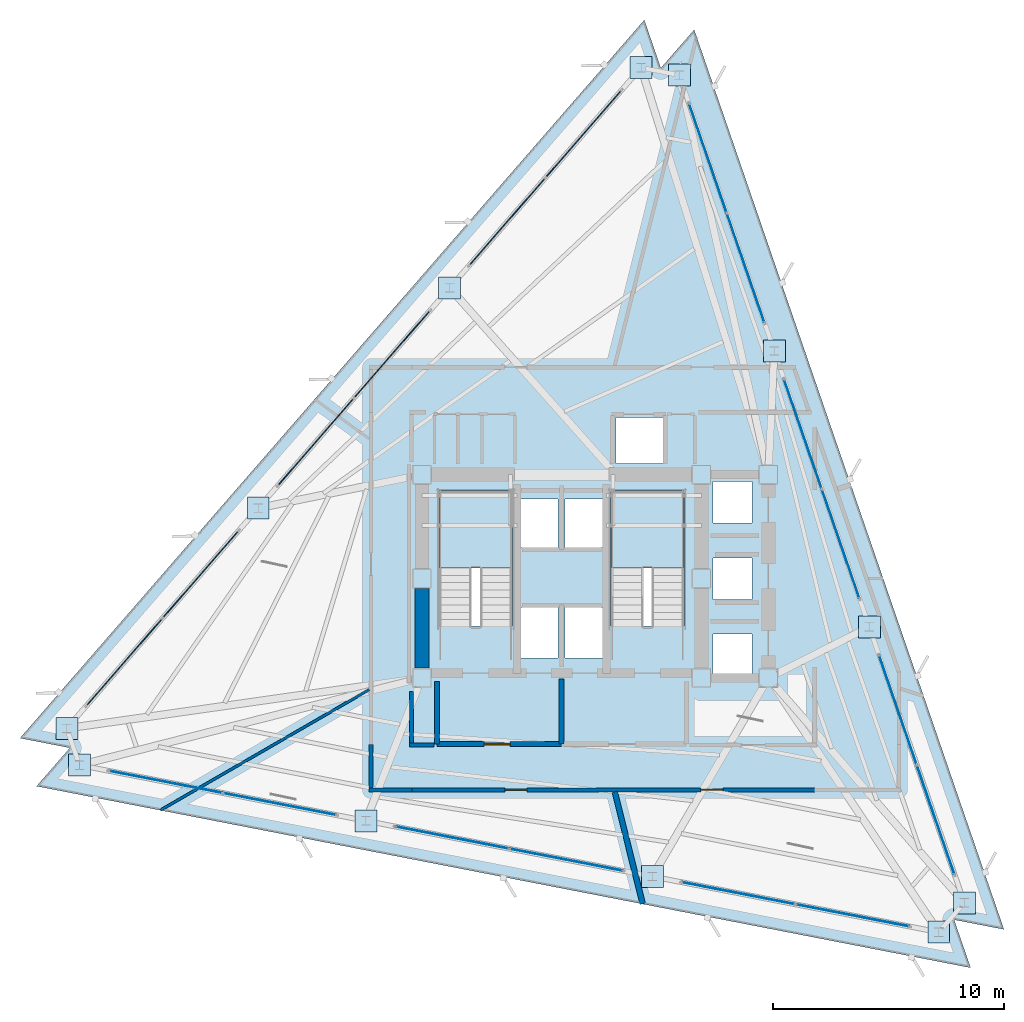
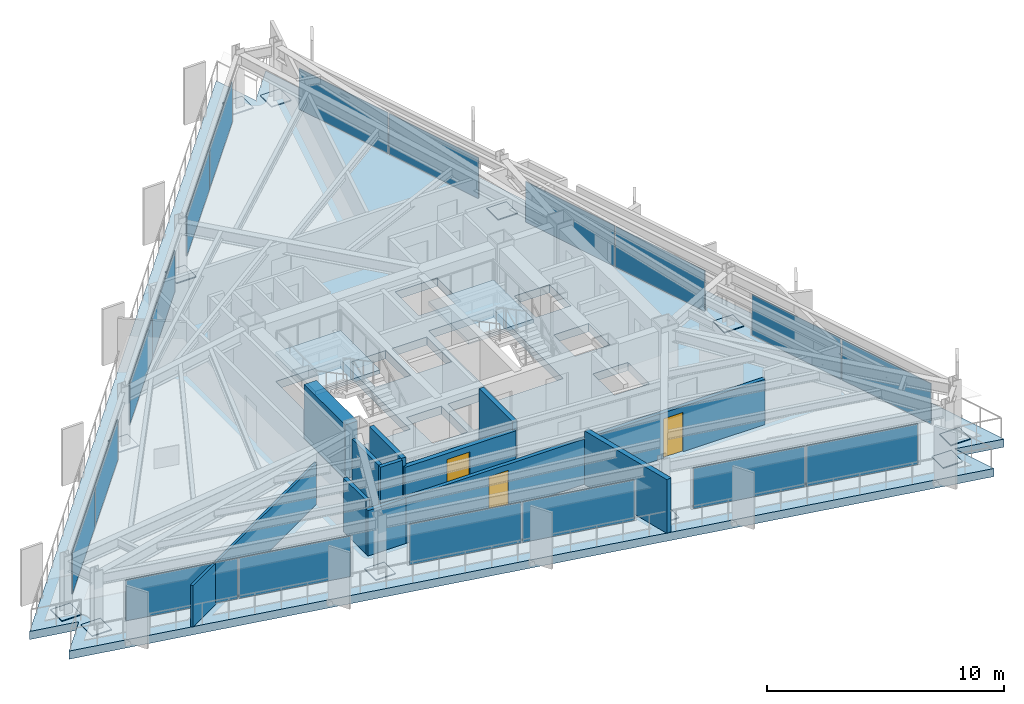
# One storey, part 8 of 13: 30 plates, 11 walls, 3 doors, 3 slabs, 3 openings, 11 elements without a shape of their own.
"""IFC4 building model written with IfcOpenShell, lengths in metres."""

from ifc_helpers import new_model, si_unit, direction, frame, frame_2d, origin, origin_2d, place, context, subcontext, project, spatial, polyline, rectangle, outline, extrude, material, layer, layer_set, type_object, element, fill, aggregate, save


model = new_model("IFC4")

# Units and contexts
model_context = context("Model", 3, precision=1e-05, world=origin(), true_north=direction((0.0, 1.0)))
body_context = subcontext(model_context, "Body", "Model", "MODEL_VIEW")
ifc_project = project(units=[si_unit("LENGTHUNIT", "METRE"), si_unit("AREAUNIT", "SQUARE_METRE"), si_unit("VOLUMEUNIT", "CUBIC_METRE"), si_unit("PLANEANGLEUNIT", "RADIAN"), si_unit("MASSUNIT", "GRAM", prefix="KILO")], contexts=[model_context])

# Site, building, storey
site_placement = place(None, origin())
site = spatial("IfcSite", under=ifc_project, at=site_placement, CompositionType="ELEMENT")
building_placement = place(site_placement, origin())
building = spatial("IfcBuilding", under=site, at=building_placement, Name="Rocaltana Carrier Exchange", CompositionType="ELEMENT")
storey_placement = place(building_placement, frame((0.0, 0.0, 147.199951171875)))
storey = spatial("IfcBuildingStorey", under=building, at=storey_placement, Name="L46", CompositionType="ELEMENT", Elevation=147.199951171875)

# Slab
ifc_material_1 = material(Name="Concrete C60/75", Category="concrete")
ifc_layer_1 = layer(ifc_material_1, 0.419921875)
ifc_layer_set_1 = layer_set([ifc_layer_1], Name="Concrete C60/75")
slab_type_1 = type_object("IfcSlabType", Name="Block Transfer Diaphragm Slab 420", PredefinedType="FLOOR", material=ifc_layer_set_1)
slab_1_placement = place(storey_placement, frame((0.0, 0.0, -0.419921875)))
element("IfcSlab", 1, at=slab_1_placement, inside=storey, type_object=slab_type_1, Name="L46 Structural Floor Slab", PredefinedType="FLOOR", context=body_context, shape_type="SweptSolid", body=[
    extrude(outline(polyline([(17.709716796875, -16.852294921875), (16.993408203125, -14.772216796875), (19.153076171875, -15.19189453125), (5.73974609375, 23.76318359375), (4.29638671875, 22.10302734375), (3.580078125, 24.18310546875), (-23.449462890625, -6.910888671875), (-21.289794921875, -7.330810546875), (-22.7333984375, -8.9912109375), (17.709716796875, -16.852294921875)]), holes=[polyline([(-5.300048828125, -2.06005859375), (-2.139892578125, -2.06005859375), (-2.139892578125, 3.800048828125), (-5.300048828125, 3.800048828125), (-5.300048828125, -2.06005859375)]), polyline([(2.139892578125, -2.06005859375), (5.300048828125, -2.06005859375), (5.300048828125, 3.800048828125), (2.139892578125, 3.800048828125), (2.139892578125, -2.06005859375)]), polyline([(-1.85009765625, -3.449951171875), (-0.14990234375, -3.449951171875), (-0.14990234375, -1.25), (-1.85009765625, -1.25), (-1.85009765625, -3.449951171875)]), polyline([(0.14990234375, -3.449951171875), (1.85009765625, -3.449951171875), (1.85009765625, -1.25), (0.14990234375, -1.25), (0.14990234375, -3.449951171875)]), polyline([(2.35009765625, 4.97998046875), (4.39990234375, 4.97998046875), (4.39990234375, 6.97998046875), (2.35009765625, 6.97998046875), (2.35009765625, 4.97998046875)]), polyline([(-1.85009765625, 1.35009765625), (-0.14990234375, 1.35009765625), (-0.14990234375, 3.449951171875), (-1.85009765625, 3.449951171875), (-1.85009765625, 1.35009765625)]), polyline([(0.14990234375, 1.35009765625), (1.85009765625, 1.35009765625), (1.85009765625, 3.449951171875), (0.14990234375, 3.449951171875), (0.14990234375, 1.35009765625)]), polyline([(6.550048828125, -4.199951171875), (8.25, -4.199951171875), (8.25, -2.39990234375), (6.550048828125, -2.39990234375), (6.550048828125, -4.199951171875)]), polyline([(6.550048828125, -0.89990234375), (8.25, -0.89990234375), (8.25, 0.89990234375), (6.550048828125, 0.89990234375), (6.550048828125, -0.89990234375)]), polyline([(6.550048828125, 2.39990234375), (8.25, 2.39990234375), (8.25, 4.199951171875), (6.550048828125, 4.199951171875), (6.550048828125, 2.39990234375)])]), origin(), (0.0, 0.0, 1.0), 0.419921875),
])

# Curtain wall, plates
ifc_material_2 = material(Name="Aluminium 6063-T6", Category="aluminium")
ifc_layer_2 = layer(ifc_material_2, 0.135009765625)
ifc_layer_set_2 = layer_set([ifc_layer_2], Name="Aluminium 6063-T6")
curtain_wall_type = type_object("IfcCurtainWallType", Name="Upper-Mid Acoustic Curtain Wall CW-04", PredefinedType="NOTDEFINED", material=ifc_layer_set_2)
curtain_wall_1_placement = place(storey_placement, origin())
curtain_wall_1 = element("IfcCurtainWall", 2, at=curtain_wall_1_placement, inside=storey, type_object=curtain_wall_type, Name="L46 CW-04 Run CW-L46-F1S1", PredefinedType="NOTDEFINED")
ifc_material_3 = material(Name="Tempered Laminated Glass", Category="glass")
ifc_layer_3 = layer(ifc_material_3, 0.0380859375)
ifc_layer_set_3 = layer_set([ifc_layer_3], Name="Tempered Laminated Glass")
plate_type_1 = type_object("IfcPlateType", Name="CW-04 Stone-Insulated Vision Panel", PredefinedType="CURTAIN_PANEL", material=ifc_layer_set_3)
plate_1_placement = place(storey_placement, frame((16.197021484375, -10.4462890625, 0.065185546875), z_axis=(0.0, 0.0, 1.0), x_axis=(-0.325558788464, 0.945521800517, 0.0)))
plate_1 = element("IfcPlate", 3, at=plate_1_placement, type_object=plate_type_1, Name="CW-04 panel 1.1", PredefinedType="CURTAIN_PANEL", context=body_context, shape_type="SweptSolid", body=[
    extrude(rectangle(XDim=4.96923828125, YDim=0.0380859375, at=origin_2d()), origin(), (0.0, 0.0, 1.0), 2.087890625),
])
plate_2_placement = place(storey_placement, frame((14.55810546875, -5.686279296875, 0.065185546875), z_axis=(0.0, 0.0, 1.0), x_axis=(-0.325558788464, 0.945521800517, 0.0)))
plate_2 = element("IfcPlate", 4, at=plate_2_placement, type_object=plate_type_1, Name="CW-04 panel 2.1", PredefinedType="CURTAIN_PANEL", context=body_context, shape_type="SweptSolid", body=[
    extrude(rectangle(XDim=4.96923828125, YDim=0.0380859375, at=origin_2d()), origin(), (0.0, 0.0, 1.0), 2.087890625),
])
aggregate(curtain_wall_1, [plate_1, plate_2])

curtain_wall_2_placement = place(storey_placement, origin())
curtain_wall_2 = element("IfcCurtainWall", 5, at=curtain_wall_2_placement, inside=storey, type_object=curtain_wall_type, Name="L46 CW-04 Run CW-L46-F1S2", PredefinedType="NOTDEFINED")
plate_3_placement = place(storey_placement, frame((12.083984375, 1.498779296875, 0.065185546875), z_axis=(0.0, 0.0, 1.0), x_axis=(-0.32556182622, 0.945520754562, 0.0)))
plate_3 = element("IfcPlate", 6, at=plate_3_placement, type_object=plate_type_1, Name="CW-04 panel 1.1", PredefinedType="CURTAIN_PANEL", context=body_context, shape_type="SweptSolid", body=[
    extrude(rectangle(XDim=4.96923828125, YDim=0.0380859375, at=origin_2d()), origin(), (0.0, 0.0, 1.0), 2.087890625),
])
plate_4_placement = place(storey_placement, frame((10.445068359375, 6.258544921875, 0.065185546875), z_axis=(0.0, 0.0, 1.0), x_axis=(-0.32556182622, 0.945520754562, 0.0)))
plate_4 = element("IfcPlate", 7, at=plate_4_placement, type_object=plate_type_1, Name="CW-04 panel 2.1", PredefinedType="CURTAIN_PANEL", context=body_context, shape_type="SweptSolid", body=[
    extrude(rectangle(XDim=4.96923828125, YDim=0.0380859375, at=origin_2d()), origin(), (0.0, 0.0, 1.0), 2.087890625),
])
aggregate(curtain_wall_2, [plate_3, plate_4])

curtain_wall_3_placement = place(storey_placement, origin())
curtain_wall_3 = element("IfcCurtainWall", 8, at=curtain_wall_3_placement, inside=storey, type_object=curtain_wall_type, Name="L46 CW-04 Run CW-L46-F1S3", PredefinedType="NOTDEFINED")
plate_5_placement = place(storey_placement, frame((7.970947265625, 13.44384765625, 0.065185546875), z_axis=(0.0, 0.0, 1.0), x_axis=(-0.325558788464, 0.945521800517, 0.0)))
plate_5 = element("IfcPlate", 9, at=plate_5_placement, type_object=plate_type_1, Name="CW-04 panel 1.1", PredefinedType="CURTAIN_PANEL", context=body_context, shape_type="SweptSolid", body=[
    extrude(rectangle(XDim=4.96923828125, YDim=0.0380859375, at=origin_2d()), origin(), (0.0, 0.0, 1.0), 2.087890625),
])
plate_6_placement = place(storey_placement, frame((6.33203125, 18.20361328125, 0.065185546875), z_axis=(0.0, 0.0, 1.0), x_axis=(-0.325558788464, 0.945521800517, 0.0)))
plate_6 = element("IfcPlate", 10, at=plate_6_placement, type_object=plate_type_1, Name="CW-04 panel 2.1", PredefinedType="CURTAIN_PANEL", context=body_context, shape_type="SweptSolid", body=[
    extrude(rectangle(XDim=4.96923828125, YDim=0.0380859375, at=origin_2d()), origin(), (0.0, 0.0, 1.0), 2.087890625),
])
aggregate(curtain_wall_3, [plate_5, plate_6])

curtain_wall_4_placement = place(storey_placement, origin())
curtain_wall_4 = element("IfcCurtainWall", 11, at=curtain_wall_4_placement, inside=storey, type_object=curtain_wall_type, Name="L46 CW-04 Run CW-L46-F2S1", PredefinedType="NOTDEFINED")
plate_7_placement = place(storey_placement, frame((0.9482421875, 19.250244140625, 0.065185546875), z_axis=(0.0, 0.0, 1.0), x_axis=(-0.656056545375, -0.75471173919, 0.0)))
plate_7 = element("IfcPlate", 12, at=plate_7_placement, type_object=plate_type_1, Name="CW-04 panel 1.1", PredefinedType="CURTAIN_PANEL", context=body_context, shape_type="SweptSolid", body=[
    extrude(rectangle(XDim=4.96923828125, YDim=0.0380859375, at=origin_2d()), origin(), (0.0, 0.0, 1.0), 2.087890625),
])
plate_8_placement = place(storey_placement, frame((-2.3544921875, 15.450927734375, 0.065185546875), z_axis=(0.0, 0.0, 1.0), x_axis=(-0.656056545375, -0.75471173919, 0.0)))
plate_8 = element("IfcPlate", 13, at=plate_8_placement, type_object=plate_type_1, Name="CW-04 panel 2.1", PredefinedType="CURTAIN_PANEL", context=body_context, shape_type="SweptSolid", body=[
    extrude(rectangle(XDim=4.96923828125, YDim=0.0380859375, at=origin_2d()), origin(), (0.0, 0.0, 1.0), 2.087890625),
])
aggregate(curtain_wall_4, [plate_7, plate_8])

curtain_wall_5_placement = place(storey_placement, origin())
curtain_wall_5 = element("IfcCurtainWall", 14, at=curtain_wall_5_placement, inside=storey, type_object=curtain_wall_type, Name="L46 CW-04 Run CW-L46-F2S2", PredefinedType="NOTDEFINED")
plate_9_placement = place(storey_placement, frame((-7.33984375, 9.7158203125, 0.065185546875), z_axis=(0.0, 0.0, 1.0), x_axis=(-0.656056545375, -0.75471173919, 0.0)))
plate_9 = element("IfcPlate", 15, at=plate_9_placement, type_object=plate_type_1, Name="CW-04 panel 1.1", PredefinedType="CURTAIN_PANEL", context=body_context, shape_type="SweptSolid", body=[
    extrude(rectangle(XDim=4.96923828125, YDim=0.0380859375, at=origin_2d()), origin(), (0.0, 0.0, 1.0), 2.087890625),
])
plate_10_placement = place(storey_placement, frame((-10.642578125, 5.91650390625, 0.065185546875), z_axis=(0.0, 0.0, 1.0), x_axis=(-0.656056545375, -0.75471173919, 0.0)))
plate_10 = element("IfcPlate", 16, at=plate_10_placement, type_object=plate_type_1, Name="CW-04 panel 2.1", PredefinedType="CURTAIN_PANEL", context=body_context, shape_type="SweptSolid", body=[
    extrude(rectangle(XDim=4.96923828125, YDim=0.0380859375, at=origin_2d()), origin(), (0.0, 0.0, 1.0), 2.087890625),
])
aggregate(curtain_wall_5, [plate_9, plate_10])

curtain_wall_6_placement = place(storey_placement, origin())
curtain_wall_6 = element("IfcCurtainWall", 17, at=curtain_wall_6_placement, inside=storey, type_object=curtain_wall_type, Name="L46 CW-04 Run CW-L46-F2S3", PredefinedType="NOTDEFINED")
plate_11_placement = place(storey_placement, frame((-15.628173828125, 0.18115234375, 0.065185546875), z_axis=(0.0, 0.0, 1.0), x_axis=(-0.656056545375, -0.75471173919, 0.0)))
plate_11 = element("IfcPlate", 18, at=plate_11_placement, type_object=plate_type_1, Name="CW-04 panel 1.1", PredefinedType="CURTAIN_PANEL", context=body_context, shape_type="SweptSolid", body=[
    extrude(rectangle(XDim=4.96923828125, YDim=0.0380859375, at=origin_2d()), origin(), (0.0, 0.0, 1.0), 2.087890625),
])
plate_12_placement = place(storey_placement, frame((-18.930908203125, -3.6181640625, 0.065185546875), z_axis=(0.0, 0.0, 1.0), x_axis=(-0.656056545375, -0.75471173919, 0.0)))
plate_12 = element("IfcPlate", 19, at=plate_12_placement, type_object=plate_type_1, Name="CW-04 panel 2.1", PredefinedType="CURTAIN_PANEL", context=body_context, shape_type="SweptSolid", body=[
    extrude(rectangle(XDim=4.96923828125, YDim=0.0380859375, at=origin_2d()), origin(), (0.0, 0.0, 1.0), 2.087890625),
])
aggregate(curtain_wall_6, [plate_11, plate_12])

curtain_wall_7_placement = place(storey_placement, origin())
curtain_wall_7 = element("IfcCurtainWall", 20, at=curtain_wall_7_placement, inside=storey, type_object=curtain_wall_type, Name="L46 CW-04 Run CW-L46-F3S1", PredefinedType="NOTDEFINED")
plate_13_placement = place(storey_placement, frame((-17.145263671875, -8.803955078125, 0.065185546875), z_axis=(0.0, 0.0, 1.0), x_axis=(0.981628278569, -0.190803361378, 0.0)))
plate_13 = element("IfcPlate", 21, at=plate_13_placement, type_object=plate_type_1, Name="CW-04 panel 1.1", PredefinedType="CURTAIN_PANEL", context=body_context, shape_type="SweptSolid", body=[
    extrude(rectangle(XDim=4.96923828125, YDim=0.0380859375, at=origin_2d()), origin(), (0.0, 0.0, 1.0), 2.087890625),
])
plate_14_placement = place(storey_placement, frame((-12.20361328125, -9.764404296875, 0.065185546875), z_axis=(0.0, 0.0, 1.0), x_axis=(0.981628278569, -0.190803361378, 0.0)))
plate_14 = element("IfcPlate", 22, at=plate_14_placement, type_object=plate_type_1, Name="CW-04 panel 2.1", PredefinedType="CURTAIN_PANEL", context=body_context, shape_type="SweptSolid", body=[
    extrude(rectangle(XDim=4.96923828125, YDim=0.0380859375, at=origin_2d()), origin(), (0.0, 0.0, 1.0), 2.087890625),
])
aggregate(curtain_wall_7, [plate_13, plate_14])

curtain_wall_8_placement = place(storey_placement, origin())
curtain_wall_8 = element("IfcCurtainWall", 23, at=curtain_wall_8_placement, inside=storey, type_object=curtain_wall_type, Name="L46 CW-04 Run CW-L46-F3S2", PredefinedType="NOTDEFINED")
plate_15_placement = place(storey_placement, frame((-4.744140625, -11.21435546875, 0.065185546875), z_axis=(0.0, 0.0, 1.0), x_axis=(0.981626070913, -0.190814718784, 0.0)))
plate_15 = element("IfcPlate", 24, at=plate_15_placement, type_object=plate_type_1, Name="CW-04 panel 1.1", PredefinedType="CURTAIN_PANEL", context=body_context, shape_type="SweptSolid", body=[
    extrude(rectangle(XDim=4.96923828125, YDim=0.0380859375, at=origin_2d()), origin(), (0.0, 0.0, 1.0), 2.087890625),
])
plate_16_placement = place(storey_placement, frame((0.19775390625, -12.175048828125, 0.065185546875), z_axis=(0.0, 0.0, 1.0), x_axis=(0.981626070913, -0.190814718784, 0.0)))
plate_16 = element("IfcPlate", 25, at=plate_16_placement, type_object=plate_type_1, Name="CW-04 panel 2.1", PredefinedType="CURTAIN_PANEL", context=body_context, shape_type="SweptSolid", body=[
    extrude(rectangle(XDim=4.96923828125, YDim=0.0380859375, at=origin_2d()), origin(), (0.0, 0.0, 1.0), 2.087890625),
])
aggregate(curtain_wall_8, [plate_15, plate_16])

curtain_wall_9_placement = place(storey_placement, origin())
curtain_wall_9 = element("IfcCurtainWall", 26, at=curtain_wall_9_placement, inside=storey, type_object=curtain_wall_type, Name="L46 CW-04 Run CW-L46-F3S3", PredefinedType="NOTDEFINED")
plate_17_placement = place(storey_placement, frame((7.6572265625, -13.625, 0.065185546875), z_axis=(0.0, 0.0, 1.0), x_axis=(0.981627919301, -0.190805209699, 0.0)))
plate_17 = element("IfcPlate", 27, at=plate_17_placement, type_object=plate_type_1, Name="CW-04 panel 1.1", PredefinedType="CURTAIN_PANEL", context=body_context, shape_type="SweptSolid", body=[
    extrude(rectangle(XDim=4.96923828125, YDim=0.0380859375, at=origin_2d()), origin(), (0.0, 0.0, 1.0), 2.087890625),
])
plate_18_placement = place(storey_placement, frame((12.598876953125, -14.58544921875, 0.065185546875), z_axis=(0.0, 0.0, 1.0), x_axis=(0.981627919301, -0.190805209699, 0.0)))
plate_18 = element("IfcPlate", 28, at=plate_18_placement, type_object=plate_type_1, Name="CW-04 panel 2.1", PredefinedType="CURTAIN_PANEL", context=body_context, shape_type="SweptSolid", body=[
    extrude(rectangle(XDim=4.96923828125, YDim=0.0380859375, at=origin_2d()), origin(), (0.0, 0.0, 1.0), 2.087890625),
])
aggregate(curtain_wall_9, [plate_17, plate_18])

# Plates
ifc_material_4 = material(Name="Steel S460", Category="steel")
ifc_layer_4 = layer(ifc_material_4, 0.0400390625)
ifc_layer_set_4 = layer_set([ifc_layer_4], Name="Steel S460")
plate_type_2 = type_object("IfcPlateType", Name="Column Base Bearing Plate 950x950x40", PredefinedType="SHEET", material=ifc_layer_set_4)
for number, where, z_axis, x_axis, name in (
    (29, (17.43408203125, -14.038818359375, 0.0), (0.0, 0.0, 1.0), (1.0, 0.0, 0.0), "L46 Block Transfer Bearing Plate TC01"),
    (30, (13.321044921875, -2.09375, 0.0), (0.0, 0.0, 1.0), (1.0, 0.0, 0.0), "L46 Block Transfer Bearing Plate TC02"),
    (31, (9.2080078125, 9.851318359375, 0.0), (0.0, 0.0, 1.0), (1.0, 0.0, 0.0), "L46 Block Transfer Bearing Plate TC03"),
    (32, (5.094970703125, 21.79638671875, 0.0), (0.0, 0.0, 1.0), (1.0, 0.0, 0.0), "L46 Block Transfer Bearing Plate TC04"),
    (33, (3.44091796875, 22.117919921875, 0.0), (0.0, 0.0, 1.0), (1.0, 0.0, 0.0), "L46 Block Transfer Bearing Plate TC05"),
    (34, (-4.84716796875, 12.583251953125, 0.0), (0.0, 0.0, 1.0), (1.0, 0.0, 0.0), "L46 Block Transfer Bearing Plate TC06"),
    (35, (-13.135498046875, 3.048828125, 0.0), (0.0, 0.0, 1.0), (1.0, 0.0, 0.0), "L46 Block Transfer Bearing Plate TC07"),
    (36, (-21.423583984375, -6.485595703125, 0.0), (0.0, 0.0, 1.0), (1.0, 0.0, 0.0), "L46 Block Transfer Bearing Plate TC08"),
    (37, (-20.875, -8.078857421875, 0.0), (0.0, 0.0, 1.0), (1.0, 0.0, 0.0), "L46 Block Transfer Bearing Plate TC09"),
    (38, (-8.473876953125, -10.489501953125, 0.0), (0.0, 0.0, 1.0), (1.0, 0.0, 0.0), "L46 Block Transfer Bearing Plate TC10"),
    (39, (3.927490234375, -12.89990234375, 0.0), (0.0, 0.0, 1.0), (1.0, 0.0, 0.0), "L46 Block Transfer Bearing Plate TC11"),
    (40, (16.32861328125, -15.310546875, 0.0), (0.0, 0.0, 1.0), (1.0, 0.0, 0.0), "L46 Block Transfer Bearing Plate TC12"),
):
    element("IfcPlate", number, at=place(storey_placement, frame(where, z_axis=z_axis, x_axis=x_axis)), inside=storey, type_object=plate_type_2, Name=name, PredefinedType="SHEET", context=body_context, shape_type="SweptSolid", body=[
        extrude(rectangle(XDim=0.949951171875, YDim=0.949951171875, at=origin_2d()), origin(), (0.0, 0.0, 1.0), 0.0400390625),
    ])

# Stair, slab
ifc_material_5 = material(Name="Precast concrete C45/55", Category="concrete")
stair_type = type_object("IfcStairType", Name="Standard Dog-Leg Stair 160", PredefinedType="HALF_TURN_STAIR", material=ifc_material_5)
stair_1_placement = place(storey_placement, origin())
stair_1 = element("IfcStair", 41, at=stair_1_placement, inside=storey, type_object=stair_type, Name="L46 Core West Exit Stair ST-1", PredefinedType="HALF_TURN_STAIR")
ifc_material_6 = material(Name="Precast concrete C45/55", Category="concrete")
ifc_layer_5 = layer(ifc_material_6, 0.199951171875)
ifc_layer_set_5 = layer_set([ifc_layer_5], Name="Precast concrete C45/55")
slab_type_2 = type_object("IfcSlabType", Name="Precast Stair Half-Landing 200", PredefinedType="LANDING", material=ifc_layer_set_5)
slab_2_placement = place(storey_placement, frame((0.0, 0.0, 1.320068359375)))
slab_2 = element("IfcSlab", 42, at=slab_2_placement, type_object=slab_type_2, Name="ST-1 landing 1", PredefinedType="LANDING", context=body_context, shape_type="SweptSolid", body=[
    extrude(outline(polyline([(-2.139892578125, 0.4599609375), (-2.139892578125, 3.800048828125), (-5.300048828125, 3.800048828125), (-5.300048828125, 0.4599609375), (-2.139892578125, 0.4599609375)])), origin(), (0.0, 0.0, 1.0), 0.199951171875),
])
aggregate(stair_1, [slab_2])

stair_2_placement = place(storey_placement, origin())
stair_2 = element("IfcStair", 43, at=stair_2_placement, inside=storey, type_object=stair_type, Name="L46 Core East Exit Stair ST-2", PredefinedType="HALF_TURN_STAIR")
slab_3_placement = place(storey_placement, frame((0.0, 0.0, 1.320068359375)))
slab_3 = element("IfcSlab", 44, at=slab_3_placement, type_object=slab_type_2, Name="ST-2 landing 1", PredefinedType="LANDING", context=body_context, shape_type="SweptSolid", body=[
    extrude(outline(polyline([(5.300048828125, 0.4599609375), (5.300048828125, 3.800048828125), (2.139892578125, 3.800048828125), (2.139892578125, 0.4599609375), (5.300048828125, 0.4599609375)])), origin(), (0.0, 0.0, 1.0), 0.199951171875),
])
aggregate(stair_2, [slab_3])

# Walls
ifc_material_7 = material(Name="Concrete C50/60", Category="concrete")
ifc_layer_6 = layer(ifc_material_7, 0.60009765625)
ifc_layer_set_6 = layer_set([ifc_layer_6], Name="Concrete C50/60")
wall_type_1 = type_object("IfcWallType", Name="Core Shear Wall 600", PredefinedType="SHEAR", material=ifc_layer_set_6)
wall_1_placement = place(storey_placement, frame((-6.050048828125, -3.875, 0.0), z_axis=(0.0, 0.0, 1.0), x_axis=(0.0, 1.0, 0.0)))
element("IfcWall", 45, at=wall_1_placement, inside=storey, type_object=wall_type_1, Name="L46 Core Shear Wall CW-WS", PredefinedType="SHEAR", context=body_context, shape_type="SweptSolid", body=[
    extrude(rectangle(XDim=3.449951171875, YDim=0.60009765625, at=frame_2d((1.72509765625, 0.0))), origin(), (0.0, 0.0, 1.0), 2.7880859375),
])
ifc_material_8 = material(Name="Gypsum & Steel Stud Partition", Category="steel")
ifc_layer_7 = layer(ifc_material_8, 0.179931640625)
ifc_layer_set_7 = layer_set([ifc_layer_7], Name="Gypsum & Steel Stud Partition")
wall_type_2 = type_object("IfcWallType", Name="Corridor Fire Partition 180 EI60", PredefinedType="PARTITIONING", material=ifc_layer_set_7)
wall_2_placement = place(storey_placement, frame((-6.47998046875, -9.14990234375, 0.0), z_axis=(0.0, 0.0, 1.0), x_axis=(-1.0, 0.0, 0.0)))
element("IfcWall", 46, at=wall_2_placement, inside=storey, type_object=wall_type_2, Name="L46 Corridor Partition 1", PredefinedType="PARTITIONING", context=body_context, shape_type="SweptSolid", body=[
    extrude(rectangle(XDim=1.860107421875, YDim=0.179931640625, at=frame_2d((0.93017578125, 0.0))), origin(), (0.0, 0.0, 1.0), 2.330078125),
])
wall_3_placement = place(storey_placement, frame((-8.25, -9.06005859375, 0.0), z_axis=(0.0, 0.0, 1.0), x_axis=(0.0, 1.0, 0.0)))
element("IfcWall", 47, at=wall_3_placement, inside=storey, type_object=wall_type_2, Name="L46 Corridor Partition 2", PredefinedType="PARTITIONING", context=body_context, shape_type="SweptSolid", body=[
    extrude(rectangle(XDim=1.880126953125, YDim=0.179931640625, at=frame_2d((0.93994140625, 0.0))), origin(), (0.0, 0.0, 1.0), 2.762939453125),
])
wall_4_placement = place(storey_placement, frame((-6.5, -4.8798828125, 0.0), z_axis=(0.0, 0.0, 1.0), x_axis=(0.0, -1.0, 0.0)))
element("IfcWall", 48, at=wall_4_placement, inside=storey, type_object=wall_type_2, Name="L46 Corridor Partition 12", PredefinedType="PARTITIONING", context=body_context, shape_type="SweptSolid", body=[
    extrude(rectangle(XDim=2.230224609375, YDim=0.179931640625, at=frame_2d((1.115234375, 0.0))), origin(), (0.0, 0.0, 1.0), 2.762939453125),
])
wall_5_placement = place(storey_placement, frame((-6.590087890625, -7.199951171875, 0.0), z_axis=(0.0, 0.0, 1.0), x_axis=(1.0, 0.0, 0.0)))
element("IfcWall", 49, at=wall_5_placement, inside=storey, type_object=wall_type_2, Name="L46 Corridor Partition 13", PredefinedType="PARTITIONING", context=body_context, shape_type="SweptSolid", body=[
    extrude(rectangle(XDim=1.06005859375, YDim=0.179931640625, at=frame_2d((0.530029296875, 0.0))), origin(), (0.0, 0.0, 1.0), 2.762939453125),
])

# Wall, openings, doors
wall_6_placement = place(storey_placement, frame((10.97998046875, -9.14990234375, 0.0), z_axis=(0.0, 0.0, 1.0), x_axis=(-1.0, 0.0, 0.0)))
wall_6 = element("IfcWall", 50, at=wall_6_placement, inside=storey, type_object=wall_type_2, Name="L46 Corridor Partition 21", PredefinedType="PARTITIONING", context=body_context, shape_type="SweptSolid", body=[
    extrude(rectangle(XDim=17.5, YDim=0.179931640625, at=frame_2d((8.75, 0.0))), origin(), (0.0, 0.0, 1.0), 2.330078125),
])
opening_1_placement = place(wall_6_placement, frame((12.480224609375, 0.0, 0.0)))
opening_1 = element("IfcOpeningElement", 51, at=opening_1_placement, cuts=wall_6, Name="Opening D-RM098", PredefinedType="OPENING", context=body_context, shape_type="SweptSolid", body=[
    extrude(rectangle(XDim=0.9599609375, YDim=2.02001953125, at=frame_2d((0.47998046875, 1.010009765625))), frame((0.0, 0.099853515625, 0.0), z_axis=(0.0, -1.0, 0.0), x_axis=(1.0, 0.0, 0.0)), (0.0, 0.0, 1.0), 0.199951171875),
])
opening_2_placement = place(wall_6_placement, frame((3.98828125, 0.0, 0.0)))
opening_2 = element("IfcOpeningElement", 52, at=opening_2_placement, cuts=wall_6, Name="Opening D-RM098", PredefinedType="OPENING", context=body_context, shape_type="SweptSolid", body=[
    extrude(rectangle(XDim=0.9599609375, YDim=2.02001953125, at=frame_2d((0.47998046875, 1.010009765625))), frame((0.0, 0.099853515625, 0.0), z_axis=(0.0, -1.0, 0.0), x_axis=(1.0, 0.0, 0.0)), (0.0, 0.0, 1.0), 0.199951171875),
])
ifc_material_9 = material(Name="Engineered Hardwood Timber", Category="wood")
door_type_1 = type_object("IfcDoorType", Name="Workspace Single Door 960x2020", OperationType="NOTDEFINED", PredefinedType="DOOR", material=ifc_material_9)
door_1_placement = place(opening_1_placement, origin())
door_1 = element("IfcDoor", 53, at=door_1_placement, inside=storey, type_object=door_type_1, Name="L46 Network Operations Office Entrance Door", OperationType="SINGLE_SWING_LEFT", OverallHeight=2.02001953125, OverallWidth=0.9599609375, PredefinedType="DOOR", context=body_context, shape_type="SweptSolid", body=[
    extrude(rectangle(XDim=0.9599609375, YDim=2.02001953125, at=frame_2d((0.47998046875, 1.010009765625))), frame((0.0, 0.02490234375, 0.0), z_axis=(0.0, -1.0, 0.0), x_axis=(1.0, 0.0, 0.0)), (0.0, 0.0, 1.0), 0.050048828125),
])
fill(opening_1, door_1)
door_2_placement = place(opening_2_placement, origin())
door_2 = element("IfcDoor", 54, at=door_2_placement, inside=storey, type_object=door_type_1, Name="L46 Cloud Architecture Office Entrance Door", OperationType="SINGLE_SWING_RIGHT", OverallHeight=2.02001953125, OverallWidth=0.9599609375, PredefinedType="DOOR", context=body_context, shape_type="SweptSolid", body=[
    extrude(rectangle(XDim=0.9599609375, YDim=2.02001953125, at=frame_2d((0.47998046875, 1.010009765625))), frame((0.0, 0.02490234375, 0.0), z_axis=(0.0, -1.0, 0.0), x_axis=(1.0, 0.0, 0.0)), (0.0, 0.0, 1.0), 0.050048828125),
])
fill(opening_2, door_2)

# Walls
ifc_material_10 = material(Name="Aluminium 6063-T6 & Acoustic Glass", Category="aluminium")
ifc_layer_8 = layer(ifc_material_10, 0.114990234375)
ifc_layer_set_8 = layer_set([ifc_layer_8], Name="Aluminium 6063-T6 & Acoustic Glass")
wall_type_3 = type_object("IfcWallType", Name="Demountable Glazed Lab Partition 115", PredefinedType="MOVABLE", material=ifc_layer_set_8)
wall_7_placement = place(storey_placement, frame((-8.330078125, -4.809326171875, 0.0), z_axis=(0.0, 0.0, 1.0), x_axis=(-0.866024997974, -0.500000702884, 0.0)))
element("IfcWall", 55, at=wall_7_placement, inside=storey, type_object=wall_type_3, Name="L46 Suite Divider Wall D1", PredefinedType="MOVABLE", context=body_context, shape_type="SweptSolid", body=[
    extrude(rectangle(XDim=10.4306640625, YDim=0.114990234375, at=frame_2d((5.21533203125, 0.0))), origin(), (0.0, 0.0, 1.0), 2.132080078125),
])
ifc_material_11 = material(Name="Autoclaved Aerated Concrete C30/37", Category="concrete")
ifc_layer_9 = layer(ifc_material_11, 0.219970703125)
ifc_layer_set_9 = layer_set([ifc_layer_9], Name="Autoclaved Aerated Concrete C30/37")
wall_type_4 = type_object("IfcWallType", Name="Firefighting Lobby Wall 220 EI120", PredefinedType="PARTITIONING", material=ifc_layer_set_9)
wall_8_placement = place(storey_placement, frame((-5.39990234375, -7.159912109375, 0.0), z_axis=(0.0, 0.0, 1.0), x_axis=(0.0, 1.0, 0.0)))
element("IfcWall", 56, at=wall_8_placement, inside=storey, type_object=wall_type_4, Name="L46 FFL Lobby 1 West Wall", PredefinedType="PARTITIONING", context=body_context, shape_type="SweptSolid", body=[
    extrude(rectangle(XDim=2.7099609375, YDim=0.219970703125, at=frame_2d((1.35498046875, 0.0))), origin(), (0.0, 0.0, 1.0), 2.762939453125),
])
wall_9_placement = place(storey_placement, frame((0.0, -7.159912109375, 0.0), z_axis=(0.0, 0.0, 1.0), x_axis=(0.0, 1.0, 0.0)))
element("IfcWall", 57, at=wall_9_placement, inside=storey, type_object=wall_type_4, Name="L46 FFL Lobby Centre Wall", PredefinedType="PARTITIONING", context=body_context, shape_type="SweptSolid", body=[
    extrude(rectangle(XDim=2.809814453125, YDim=0.219970703125, at=frame_2d((1.40478515625, 0.0))), origin(), (0.0, 0.0, 1.0), 2.762939453125),
])

# Wall, opening, door
wall_10_placement = place(storey_placement, frame((-5.39990234375, -7.159912109375, 0.0), z_axis=(0.0, 0.0, 1.0), x_axis=(1.0, 0.0, 0.0)))
wall_10 = element("IfcWall", 58, at=wall_10_placement, inside=storey, type_object=wall_type_4, Name="L46 FFL Lobby 1 South Wall", PredefinedType="PARTITIONING", context=body_context, shape_type="SweptSolid", body=[
    extrude(rectangle(XDim=5.39990234375, YDim=0.219970703125, at=frame_2d((2.699951171875, 0.0))), origin(), (0.0, 0.0, 1.0), 2.330078125),
])
opening_3_placement = place(wall_10_placement, frame((2.050048828125, 0.0, 0.0)))
opening_3 = element("IfcOpeningElement", 59, at=opening_3_placement, cuts=wall_10, Name="Opening D-FF115", PredefinedType="OPENING", context=body_context, shape_type="SweptSolid", body=[
    extrude(rectangle(XDim=1.1201171875, YDim=2.02001953125, at=frame_2d((0.56005859375, 1.010009765625))), frame((0.0, 0.119873046875, 0.0), z_axis=(0.0, -1.0, 0.0), x_axis=(1.0, 0.0, 0.0)), (0.0, 0.0, 1.0), 0.239990234375),
])
ifc_material_12 = material(Name="Hollow Metal Fire Door Assembly", Category="steel")
door_type_2 = type_object("IfcDoorType", Name="Firefighting Lobby Door 1120x2020 FD60S", OperationType="NOTDEFINED", PredefinedType="DOOR", material=ifc_material_12)
door_3_placement = place(opening_3_placement, origin())
door_3 = element("IfcDoor", 60, at=door_3_placement, inside=storey, type_object=door_type_2, Name="L46 Firefighting Lift Lobby 1 Door", OperationType="SINGLE_SWING_RIGHT", OverallHeight=2.02001953125, OverallWidth=1.1201171875, PredefinedType="DOOR", context=body_context, shape_type="SweptSolid", body=[
    extrude(rectangle(XDim=1.1201171875, YDim=2.02001953125, at=frame_2d((0.56005859375, 1.010009765625))), frame((0.0, 0.02490234375, 0.0), z_axis=(0.0, -1.0, 0.0), x_axis=(1.0, 0.0, 0.0)), (0.0, 0.0, 1.0), 0.050048828125),
])
fill(opening_3, door_3)

# Wall
ifc_material_13 = material(Name="Acoustic Calcium Silicate Partition", Category="gypsum")
ifc_layer_10 = layer(ifc_material_13, 0.239990234375)
ifc_layer_set_10 = layer_set([ifc_layer_10], Name="Acoustic Calcium Silicate Partition")
wall_type_5 = type_object("IfcWallType", Name="Heavy Lab Partition 240 EI90", PredefinedType="PARTITIONING", material=ifc_layer_set_10)
wall_11_placement = place(storey_placement, frame((2.30126953125, -9.22998046875, 0.0), z_axis=(0.0, 0.0, 1.0), x_axis=(0.241903783585, -0.970300241929, 0.0)))
element("IfcWall", 61, at=wall_11_placement, inside=storey, type_object=wall_type_5, Name="L46 Suite Divider Wall D2", PredefinedType="PARTITIONING", context=body_context, shape_type="SweptSolid", body=[
    extrude(rectangle(XDim=5.000732421875, YDim=0.239990234375, at=frame_2d((2.50048828125, 0.0))), origin(), (0.0, 0.0, 1.0), 2.762939453125),
])

save(model, "model.ifc")
